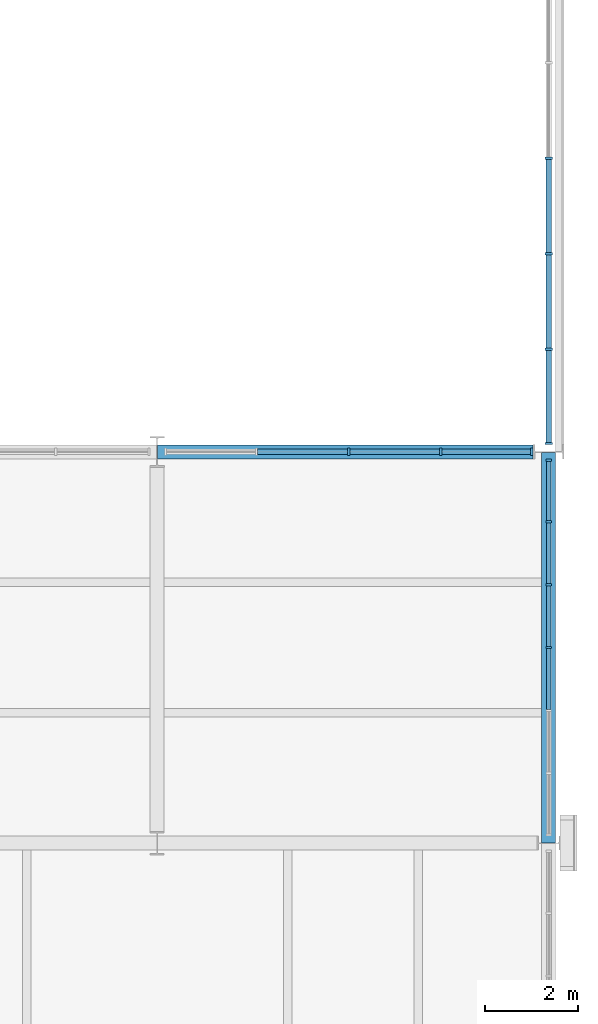
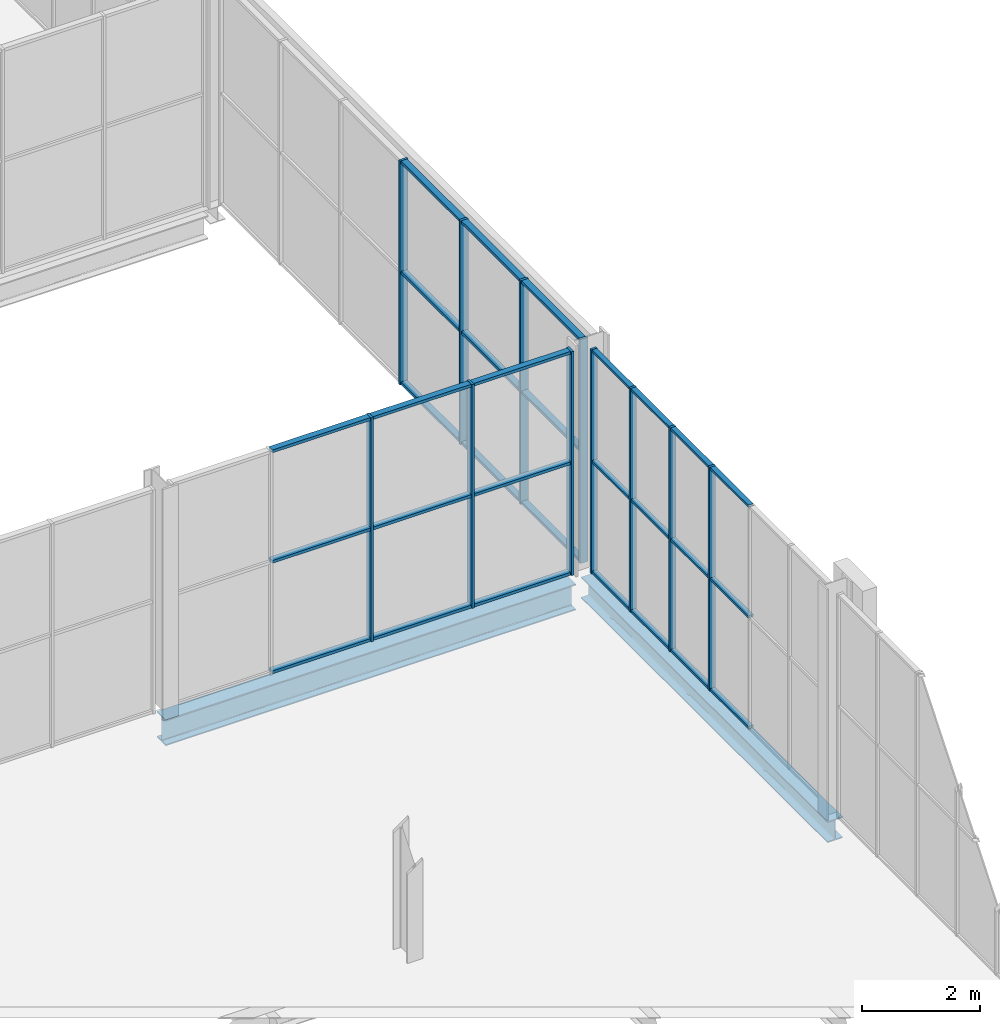
# One storey, part 24 of 61: 41 members, 2 beams, 3 elements without a shape of their own.
"""IFC4 building model written with IfcOpenShell, lengths in metres."""

from ifc_helpers import new_model, si_unit, direction, frame, origin, origin_2d, place, context, subcontext, project, spatial, rectangle, i_section, extrude, material, layer, layer_set, material_profile, profile_set, type_object, element, aggregate, save


model = new_model("IFC4")

# Units and contexts
model_context = context("Model", 3, precision=1e-05, world=origin(), true_north=direction((0.0, 1.0)))
body_context = subcontext(model_context, "Body", "Model", "MODEL_VIEW")
ifc_project = project(units=[si_unit("LENGTHUNIT", "METRE"), si_unit("AREAUNIT", "SQUARE_METRE"), si_unit("VOLUMEUNIT", "CUBIC_METRE"), si_unit("PLANEANGLEUNIT", "RADIAN"), si_unit("MASSUNIT", "GRAM", prefix="KILO")], contexts=[model_context])

# Site, building, storey
site_placement = place(None, origin())
site = spatial("IfcSite", under=ifc_project, at=site_placement, CompositionType="ELEMENT")
building_placement = place(site_placement, origin())
building = spatial("IfcBuilding", under=site, at=building_placement, Name="Galleria Vessillo Department Store", CompositionType="ELEMENT")
storey_placement = place(building_placement, frame((0.0, 0.0, 11.39990234375)))
storey = spatial("IfcBuildingStorey", under=building, at=storey_placement, Name="L02", CompositionType="ELEMENT", Elevation=11.39990234375)

# Curtain wall, members
ifc_material_1 = material(Name="Aluminium and glass curtain wall", Category="aluminium")
ifc_layer_1 = layer(ifc_material_1, 0.1201171875)
ifc_layer_set_1 = layer_set([ifc_layer_1], Name="Aluminium and glass curtain wall")
curtain_wall_type_1 = type_object("IfcCurtainWallType", Name="Shopfront curtain wall CW3 1400 module", PredefinedType="NOTDEFINED", material=ifc_layer_set_1)
curtain_wall_1_placement = place(storey_placement, origin())
curtain_wall_1 = element("IfcCurtainWall", 1, at=curtain_wall_1_placement, inside=storey, type_object=curtain_wall_type_1, Name="Shopfront curtain wall CW3 1400 module SE-S-L02-02", PredefinedType="NOTDEFINED")
ifc_material_2 = material(Name="Aluminium alloy 6063 T6", Category="aluminium")
ifc_material_profile_1 = material_profile(ifc_material_2, rectangle(XDim=0.1201171875, YDim=0.050048828125, at=origin_2d()), Name="AL 50x120")
ifc_profile_set_1 = profile_set([ifc_material_profile_1], Name="Aluminium alloy 6063 T6")
member_type_1 = type_object("IfcMemberType", Name="Aluminium mullion 50 x 120", PredefinedType="MULLION", material=ifc_profile_set_1)
member_1_placement = place(storey_placement, frame((117.60009765625, 20.998779296875, 0.0), z_axis=(0.0, 0.0, 1.0), x_axis=(-1.0, 0.0, 0.0)))
member_1 = element("IfcMember", 2, at=member_1_placement, type_object=member_type_1, Name="CW3 mullion 4", PredefinedType="MULLION", context=body_context, shape_type="SweptSolid", body=[
    extrude(rectangle(XDim=0.1201171875, YDim=0.050048828125, at=origin_2d()), origin(), (0.0, 0.0, 1.0), 4.650146484375),
])
member_2_placement = place(storey_placement, frame((117.60009765625, 22.34814453125, 0.0), z_axis=(0.0, 0.0, 1.0), x_axis=(-1.0, 0.0, 0.0)))
member_2 = element("IfcMember", 3, at=member_2_placement, type_object=member_type_1, Name="CW3 mullion 5", PredefinedType="MULLION", context=body_context, shape_type="SweptSolid", body=[
    extrude(rectangle(XDim=0.1201171875, YDim=0.050048828125, at=origin_2d()), origin(), (0.0, 0.0, 1.0), 4.650146484375),
])
member_3_placement = place(storey_placement, frame((117.60009765625, 23.69775390625, 0.0), z_axis=(0.0, 0.0, 1.0), x_axis=(-1.0, 0.0, 0.0)))
member_3 = element("IfcMember", 4, at=member_3_placement, type_object=member_type_1, Name="CW3 mullion 6", PredefinedType="MULLION", context=body_context, shape_type="SweptSolid", body=[
    extrude(rectangle(XDim=0.1201171875, YDim=0.050048828125, at=origin_2d()), origin(), (0.0, 0.0, 1.0), 4.650146484375),
])
member_4_placement = place(storey_placement, frame((117.60009765625, 25.0224609375, 0.0), z_axis=(0.0, 0.0, 1.0), x_axis=(-1.0, 0.0, 0.0)))
member_4 = element("IfcMember", 5, at=member_4_placement, type_object=member_type_1, Name="CW3 mullion 7", PredefinedType="MULLION", context=body_context, shape_type="SweptSolid", body=[
    extrude(rectangle(XDim=0.1201171875, YDim=0.050048828125, at=origin_2d()), origin(), (0.0, 0.0, 1.0), 4.650146484375),
])

ifc_material_3 = material(Name="Aluminium and glass curtain wall", Category="aluminium")
ifc_layer_2 = layer(ifc_material_3, 0.159912109375)
ifc_layer_set_2 = layer_set([ifc_layer_2], Name="Aluminium and glass curtain wall")
curtain_wall_type_2 = type_object("IfcCurtainWallType", Name="Arcade portal glazing CW2 2100 module", PredefinedType="NOTDEFINED", material=ifc_layer_set_2)
curtain_wall_2_placement = place(storey_placement, origin())
curtain_wall_2 = element("IfcCurtainWall", 6, at=curtain_wall_2_placement, inside=storey, type_object=curtain_wall_type_2, Name="Arcade portal glazing CW2 2100 module PW-E-S-L02-02", PredefinedType="NOTDEFINED")
ifc_material_4 = material(Name="Aluminium alloy 6063 T6", Category="aluminium")
ifc_material_profile_2 = material_profile(ifc_material_4, rectangle(XDim=0.159912109375, YDim=0.050048828125, at=origin_2d()), Name="AL 50x160")
ifc_profile_set_2 = profile_set([ifc_material_profile_2], Name="Aluminium alloy 6063 T6")
member_type_2 = type_object("IfcMemberType", Name="Aluminium mullion 50 x 160", PredefinedType="MULLION", material=ifc_profile_set_2)
member_5_placement = place(storey_placement, frame((113.309326171875, 25.199951171875, 0.0), z_axis=(0.0, 0.0, 1.0), x_axis=(0.0, 1.0, 0.0)))
member_5 = element("IfcMember", 7, at=member_5_placement, type_object=member_type_2, Name="CW2 mullion 3", PredefinedType="MULLION", context=body_context, shape_type="SweptSolid", body=[
    extrude(rectangle(XDim=0.159912109375, YDim=0.050048828125, at=origin_2d()), origin(), (0.0, 0.0, 1.0), 4.650146484375),
])
member_6_placement = place(storey_placement, frame((115.28759765625, 25.199951171875, 0.0), z_axis=(0.0, 0.0, 1.0), x_axis=(0.0, 1.0, 0.0)))
member_6 = element("IfcMember", 8, at=member_6_placement, type_object=member_type_2, Name="CW2 mullion 4", PredefinedType="MULLION", context=body_context, shape_type="SweptSolid", body=[
    extrude(rectangle(XDim=0.159912109375, YDim=0.050048828125, at=origin_2d()), origin(), (0.0, 0.0, 1.0), 4.650146484375),
])
member_7_placement = place(storey_placement, frame((117.2412109375, 25.199951171875, 0.0), z_axis=(0.0, 0.0, 1.0), x_axis=(0.0, 1.0, 0.0)))
member_7 = element("IfcMember", 9, at=member_7_placement, type_object=member_type_2, Name="CW2 mullion 5", PredefinedType="MULLION", context=body_context, shape_type="SweptSolid", body=[
    extrude(rectangle(XDim=0.159912109375, YDim=0.050048828125, at=origin_2d()), origin(), (0.0, 0.0, 1.0), 4.650146484375),
])

curtain_wall_3_placement = place(storey_placement, origin())
curtain_wall_3 = element("IfcCurtainWall", 10, at=curtain_wall_3_placement, inside=storey, type_object=curtain_wall_type_2, Name="Arcade portal glazing CW2 2100 module SCR-E-L02-01", PredefinedType="NOTDEFINED")
member_8_placement = place(storey_placement, frame((117.60009765625, 25.37744140625, 0.0), z_axis=(0.0, 0.0, 1.0), x_axis=(-1.0, 0.0, 0.0)))
member_8 = element("IfcMember", 11, at=member_8_placement, type_object=member_type_2, Name="CW2 mullion 1", PredefinedType="MULLION", context=body_context, shape_type="SweptSolid", body=[
    extrude(rectangle(XDim=0.159912109375, YDim=0.050048828125, at=origin_2d()), origin(), (0.0, 0.0, 1.0), 4.650146484375),
])
member_9_placement = place(storey_placement, frame((117.60009765625, 27.401611328125, 0.0), z_axis=(0.0, 0.0, 1.0), x_axis=(-1.0, 0.0, 0.0)))
member_9 = element("IfcMember", 12, at=member_9_placement, type_object=member_type_2, Name="CW2 mullion 2", PredefinedType="MULLION", context=body_context, shape_type="SweptSolid", body=[
    extrude(rectangle(XDim=0.159912109375, YDim=0.050048828125, at=origin_2d()), origin(), (0.0, 0.0, 1.0), 4.650146484375),
])
member_10_placement = place(storey_placement, frame((117.60009765625, 29.45068359375, 0.0), z_axis=(0.0, 0.0, 1.0), x_axis=(-1.0, 0.0, 0.0)))
member_10 = element("IfcMember", 13, at=member_10_placement, type_object=member_type_2, Name="CW2 mullion 3", PredefinedType="MULLION", context=body_context, shape_type="SweptSolid", body=[
    extrude(rectangle(XDim=0.159912109375, YDim=0.050048828125, at=origin_2d()), origin(), (0.0, 0.0, 1.0), 4.650146484375),
])
member_11_placement = place(storey_placement, frame((117.60009765625, 31.499755859375, 0.0), z_axis=(0.0, 0.0, 1.0), x_axis=(-1.0, 0.0, 0.0)))
member_11 = element("IfcMember", 14, at=member_11_placement, type_object=member_type_2, Name="CW2 mullion 4", PredefinedType="MULLION", context=body_context, shape_type="SweptSolid", body=[
    extrude(rectangle(XDim=0.159912109375, YDim=0.050048828125, at=origin_2d()), origin(), (0.0, 0.0, 1.0), 4.650146484375),
])

# Member
ifc_material_5 = material(Name="Aluminium alloy 6063 T6", Category="aluminium")
ifc_material_profile_3 = material_profile(ifc_material_5, rectangle(XDim=0.10009765625, YDim=0.050048828125, at=origin_2d()), Name="AL 50x100")
ifc_profile_set_3 = profile_set([ifc_material_profile_3], Name="Aluminium alloy 6063 T6")
member_type_3 = type_object("IfcMemberType", Name="Aluminium transom 50 x 100", PredefinedType="USERDEFINED", material=ifc_profile_set_3)
member_12_placement = place(storey_placement, frame((117.60009765625, 19.674072265625, 0.02490234375), z_axis=(0.0, 1.0, 0.0), x_axis=(-1.0, 0.0, 0.0)))
member_12 = element("IfcMember", 15, at=member_12_placement, type_object=member_type_3, Name="CW3 transom 3.1", ObjectType="TRANSOM", PredefinedType="USERDEFINED", context=body_context, shape_type="SweptSolid", body=[
    extrude(rectangle(XDim=0.10009765625, YDim=0.050048828125, at=origin_2d()), origin(), (0.0, 0.0, 1.0), 1.299560546875),
])

member_13_placement = place(storey_placement, frame((117.60009765625, 19.674072265625, 2.3251953125), z_axis=(0.0, 1.0, 0.0), x_axis=(-1.0, 0.0, 0.0)))
member_13 = element("IfcMember", 16, at=member_13_placement, type_object=member_type_3, Name="CW3 transom 3.2", ObjectType="TRANSOM", PredefinedType="USERDEFINED", context=body_context, shape_type="SweptSolid", body=[
    extrude(rectangle(XDim=0.10009765625, YDim=0.050048828125, at=origin_2d()), origin(), (0.0, 0.0, 1.0), 1.299560546875),
])

member_14_placement = place(storey_placement, frame((117.60009765625, 19.674072265625, 4.625244140625), z_axis=(0.0, 1.0, 0.0), x_axis=(-1.0, 0.0, 0.0)))
member_14 = element("IfcMember", 17, at=member_14_placement, type_object=member_type_3, Name="CW3 transom 3.3", ObjectType="TRANSOM", PredefinedType="USERDEFINED", context=body_context, shape_type="SweptSolid", body=[
    extrude(rectangle(XDim=0.10009765625, YDim=0.050048828125, at=origin_2d()), origin(), (0.0, 0.0, 1.0), 1.299560546875),
])

member_15_placement = place(storey_placement, frame((117.60009765625, 21.023681640625, 0.02490234375), z_axis=(0.0, 1.0, 0.0), x_axis=(-1.0, 0.0, 0.0)))
member_15 = element("IfcMember", 18, at=member_15_placement, type_object=member_type_3, Name="CW3 transom 4.1", ObjectType="TRANSOM", PredefinedType="USERDEFINED", context=body_context, shape_type="SweptSolid", body=[
    extrude(rectangle(XDim=0.10009765625, YDim=0.050048828125, at=origin_2d()), origin(), (0.0, 0.0, 1.0), 1.299560546875),
])

member_16_placement = place(storey_placement, frame((117.60009765625, 21.023681640625, 2.3251953125), z_axis=(0.0, 1.0, 0.0), x_axis=(-1.0, 0.0, 0.0)))
member_16 = element("IfcMember", 19, at=member_16_placement, type_object=member_type_3, Name="CW3 transom 4.2", ObjectType="TRANSOM", PredefinedType="USERDEFINED", context=body_context, shape_type="SweptSolid", body=[
    extrude(rectangle(XDim=0.10009765625, YDim=0.050048828125, at=origin_2d()), origin(), (0.0, 0.0, 1.0), 1.299560546875),
])

member_17_placement = place(storey_placement, frame((117.60009765625, 21.023681640625, 4.625244140625), z_axis=(0.0, 1.0, 0.0), x_axis=(-1.0, 0.0, 0.0)))
member_17 = element("IfcMember", 20, at=member_17_placement, type_object=member_type_3, Name="CW3 transom 4.3", ObjectType="TRANSOM", PredefinedType="USERDEFINED", context=body_context, shape_type="SweptSolid", body=[
    extrude(rectangle(XDim=0.10009765625, YDim=0.050048828125, at=origin_2d()), origin(), (0.0, 0.0, 1.0), 1.299560546875),
])

member_18_placement = place(storey_placement, frame((117.60009765625, 22.373291015625, 0.02490234375), z_axis=(0.0, 1.0, 0.0), x_axis=(-1.0, 0.0, 0.0)))
member_18 = element("IfcMember", 21, at=member_18_placement, type_object=member_type_3, Name="CW3 transom 5.1", ObjectType="TRANSOM", PredefinedType="USERDEFINED", context=body_context, shape_type="SweptSolid", body=[
    extrude(rectangle(XDim=0.10009765625, YDim=0.050048828125, at=origin_2d()), origin(), (0.0, 0.0, 1.0), 1.299560546875),
])

member_19_placement = place(storey_placement, frame((117.60009765625, 22.373291015625, 2.3251953125), z_axis=(0.0, 1.0, 0.0), x_axis=(-1.0, 0.0, 0.0)))
member_19 = element("IfcMember", 22, at=member_19_placement, type_object=member_type_3, Name="CW3 transom 5.2", ObjectType="TRANSOM", PredefinedType="USERDEFINED", context=body_context, shape_type="SweptSolid", body=[
    extrude(rectangle(XDim=0.10009765625, YDim=0.050048828125, at=origin_2d()), origin(), (0.0, 0.0, 1.0), 1.299560546875),
])

member_20_placement = place(storey_placement, frame((117.60009765625, 22.373291015625, 4.625244140625), z_axis=(0.0, 1.0, 0.0), x_axis=(-1.0, 0.0, 0.0)))
member_20 = element("IfcMember", 23, at=member_20_placement, type_object=member_type_3, Name="CW3 transom 5.3", ObjectType="TRANSOM", PredefinedType="USERDEFINED", context=body_context, shape_type="SweptSolid", body=[
    extrude(rectangle(XDim=0.10009765625, YDim=0.050048828125, at=origin_2d()), origin(), (0.0, 0.0, 1.0), 1.299560546875),
])

member_21_placement = place(storey_placement, frame((117.60009765625, 23.722900390625, 0.02490234375), z_axis=(0.0, 1.0, 0.0), x_axis=(-1.0, 0.0, 0.0)))
member_21 = element("IfcMember", 24, at=member_21_placement, type_object=member_type_3, Name="CW3 transom 6.1", ObjectType="TRANSOM", PredefinedType="USERDEFINED", context=body_context, shape_type="SweptSolid", body=[
    extrude(rectangle(XDim=0.10009765625, YDim=0.050048828125, at=origin_2d()), origin(), (0.0, 0.0, 1.0), 1.2744140625),
])

member_22_placement = place(storey_placement, frame((117.60009765625, 23.722900390625, 2.3251953125), z_axis=(0.0, 1.0, 0.0), x_axis=(-1.0, 0.0, 0.0)))
member_22 = element("IfcMember", 25, at=member_22_placement, type_object=member_type_3, Name="CW3 transom 6.2", ObjectType="TRANSOM", PredefinedType="USERDEFINED", context=body_context, shape_type="SweptSolid", body=[
    extrude(rectangle(XDim=0.10009765625, YDim=0.050048828125, at=origin_2d()), origin(), (0.0, 0.0, 1.0), 1.2744140625),
])

member_23_placement = place(storey_placement, frame((117.60009765625, 23.722900390625, 4.625244140625), z_axis=(0.0, 1.0, 0.0), x_axis=(-1.0, 0.0, 0.0)))
member_23 = element("IfcMember", 26, at=member_23_placement, type_object=member_type_3, Name="CW3 transom 6.3", ObjectType="TRANSOM", PredefinedType="USERDEFINED", context=body_context, shape_type="SweptSolid", body=[
    extrude(rectangle(XDim=0.10009765625, YDim=0.050048828125, at=origin_2d()), origin(), (0.0, 0.0, 1.0), 1.2744140625),
])

aggregate(curtain_wall_1, [member_1, member_2, member_3, member_4, member_12, member_13, member_14, member_15, member_16, member_17, member_18, member_19, member_20, member_21, member_22, member_23])

ifc_material_6 = material(Name="Aluminium alloy 6063 T6", Category="aluminium")
ifc_material_profile_4 = material_profile(ifc_material_6, rectangle(XDim=0.1201171875, YDim=0.06005859375, at=origin_2d()), Name="AL 60x120")
ifc_profile_set_4 = profile_set([ifc_material_profile_4], Name="Aluminium alloy 6063 T6")
member_type_4 = type_object("IfcMemberType", Name="Aluminium transom 60 x 120", PredefinedType="USERDEFINED", material=ifc_profile_set_4)
member_24_placement = place(storey_placement, frame((111.35595703125, 25.199951171875, 0.030029296875), z_axis=(1.0, 0.0, 0.0), x_axis=(0.0, 1.0, 0.0)))
member_24 = element("IfcMember", 27, at=member_24_placement, type_object=member_type_4, Name="CW2 transom 2.1", ObjectType="TRANSOM", PredefinedType="USERDEFINED", context=body_context, shape_type="SweptSolid", body=[
    extrude(rectangle(XDim=0.1201171875, YDim=0.06005859375, at=origin_2d()), origin(), (0.0, 0.0, 1.0), 1.928466796875),
])

member_25_placement = place(storey_placement, frame((111.35595703125, 25.199951171875, 2.3251953125), z_axis=(1.0, 0.0, 0.0), x_axis=(0.0, 1.0, 0.0)))
member_25 = element("IfcMember", 28, at=member_25_placement, type_object=member_type_4, Name="CW2 transom 2.2", ObjectType="TRANSOM", PredefinedType="USERDEFINED", context=body_context, shape_type="SweptSolid", body=[
    extrude(rectangle(XDim=0.1201171875, YDim=0.06005859375, at=origin_2d()), origin(), (0.0, 0.0, 1.0), 1.928466796875),
])

member_26_placement = place(storey_placement, frame((111.35595703125, 25.199951171875, 4.6201171875), z_axis=(1.0, 0.0, 0.0), x_axis=(0.0, 1.0, 0.0)))
member_26 = element("IfcMember", 29, at=member_26_placement, type_object=member_type_4, Name="CW2 transom 2.3", ObjectType="TRANSOM", PredefinedType="USERDEFINED", context=body_context, shape_type="SweptSolid", body=[
    extrude(rectangle(XDim=0.1201171875, YDim=0.06005859375, at=origin_2d()), origin(), (0.0, 0.0, 1.0), 1.928466796875),
])

member_27_placement = place(storey_placement, frame((113.334228515625, 25.199951171875, 0.030029296875), z_axis=(1.0, 0.0, 0.0), x_axis=(0.0, 1.0, 0.0)))
member_27 = element("IfcMember", 30, at=member_27_placement, type_object=member_type_4, Name="CW2 transom 3.1", ObjectType="TRANSOM", PredefinedType="USERDEFINED", context=body_context, shape_type="SweptSolid", body=[
    extrude(rectangle(XDim=0.1201171875, YDim=0.06005859375, at=origin_2d()), origin(), (0.0, 0.0, 1.0), 1.928466796875),
])

member_28_placement = place(storey_placement, frame((113.334228515625, 25.199951171875, 2.3251953125), z_axis=(1.0, 0.0, 0.0), x_axis=(0.0, 1.0, 0.0)))
member_28 = element("IfcMember", 31, at=member_28_placement, type_object=member_type_4, Name="CW2 transom 3.2", ObjectType="TRANSOM", PredefinedType="USERDEFINED", context=body_context, shape_type="SweptSolid", body=[
    extrude(rectangle(XDim=0.1201171875, YDim=0.06005859375, at=origin_2d()), origin(), (0.0, 0.0, 1.0), 1.928466796875),
])

member_29_placement = place(storey_placement, frame((113.334228515625, 25.199951171875, 4.6201171875), z_axis=(1.0, 0.0, 0.0), x_axis=(0.0, 1.0, 0.0)))
member_29 = element("IfcMember", 32, at=member_29_placement, type_object=member_type_4, Name="CW2 transom 3.3", ObjectType="TRANSOM", PredefinedType="USERDEFINED", context=body_context, shape_type="SweptSolid", body=[
    extrude(rectangle(XDim=0.1201171875, YDim=0.06005859375, at=origin_2d()), origin(), (0.0, 0.0, 1.0), 1.928466796875),
])

member_30_placement = place(storey_placement, frame((115.312744140625, 25.199951171875, 0.030029296875), z_axis=(1.0, 0.0, 0.0), x_axis=(0.0, 1.0, 0.0)))
member_30 = element("IfcMember", 33, at=member_30_placement, type_object=member_type_4, Name="CW2 transom 4.1", ObjectType="TRANSOM", PredefinedType="USERDEFINED", context=body_context, shape_type="SweptSolid", body=[
    extrude(rectangle(XDim=0.1201171875, YDim=0.06005859375, at=origin_2d()), origin(), (0.0, 0.0, 1.0), 1.9033203125),
])

member_31_placement = place(storey_placement, frame((115.312744140625, 25.199951171875, 2.3251953125), z_axis=(1.0, 0.0, 0.0), x_axis=(0.0, 1.0, 0.0)))
member_31 = element("IfcMember", 34, at=member_31_placement, type_object=member_type_4, Name="CW2 transom 4.2", ObjectType="TRANSOM", PredefinedType="USERDEFINED", context=body_context, shape_type="SweptSolid", body=[
    extrude(rectangle(XDim=0.1201171875, YDim=0.06005859375, at=origin_2d()), origin(), (0.0, 0.0, 1.0), 1.9033203125),
])

member_32_placement = place(storey_placement, frame((115.312744140625, 25.199951171875, 4.6201171875), z_axis=(1.0, 0.0, 0.0), x_axis=(0.0, 1.0, 0.0)))
member_32 = element("IfcMember", 35, at=member_32_placement, type_object=member_type_4, Name="CW2 transom 4.3", ObjectType="TRANSOM", PredefinedType="USERDEFINED", context=body_context, shape_type="SweptSolid", body=[
    extrude(rectangle(XDim=0.1201171875, YDim=0.06005859375, at=origin_2d()), origin(), (0.0, 0.0, 1.0), 1.9033203125),
])

aggregate(curtain_wall_2, [member_5, member_6, member_7, member_24, member_25, member_26, member_27, member_28, member_29, member_30, member_31, member_32])

member_33_placement = place(storey_placement, frame((117.60009765625, 25.402587890625, 0.030029296875), z_axis=(0.0, 1.0, 0.0), x_axis=(-1.0, 0.0, 0.0)))
member_33 = element("IfcMember", 36, at=member_33_placement, type_object=member_type_4, Name="CW2 transom 1.1", ObjectType="TRANSOM", PredefinedType="USERDEFINED", context=body_context, shape_type="SweptSolid", body=[
    extrude(rectangle(XDim=0.1201171875, YDim=0.06005859375, at=origin_2d()), origin(), (0.0, 0.0, 1.0), 1.97412109375),
])

member_34_placement = place(storey_placement, frame((117.60009765625, 25.402587890625, 2.3251953125), z_axis=(0.0, 1.0, 0.0), x_axis=(-1.0, 0.0, 0.0)))
member_34 = element("IfcMember", 37, at=member_34_placement, type_object=member_type_4, Name="CW2 transom 1.2", ObjectType="TRANSOM", PredefinedType="USERDEFINED", context=body_context, shape_type="SweptSolid", body=[
    extrude(rectangle(XDim=0.1201171875, YDim=0.06005859375, at=origin_2d()), origin(), (0.0, 0.0, 1.0), 1.97412109375),
])

member_35_placement = place(storey_placement, frame((117.60009765625, 25.402587890625, 4.6201171875), z_axis=(0.0, 1.0, 0.0), x_axis=(-1.0, 0.0, 0.0)))
member_35 = element("IfcMember", 38, at=member_35_placement, type_object=member_type_4, Name="CW2 transom 1.3", ObjectType="TRANSOM", PredefinedType="USERDEFINED", context=body_context, shape_type="SweptSolid", body=[
    extrude(rectangle(XDim=0.1201171875, YDim=0.06005859375, at=origin_2d()), origin(), (0.0, 0.0, 1.0), 1.97412109375),
])

member_36_placement = place(storey_placement, frame((117.60009765625, 27.426513671875, 0.030029296875), z_axis=(0.0, 1.0, 0.0), x_axis=(-1.0, 0.0, 0.0)))
member_36 = element("IfcMember", 39, at=member_36_placement, type_object=member_type_4, Name="CW2 transom 2.1", ObjectType="TRANSOM", PredefinedType="USERDEFINED", context=body_context, shape_type="SweptSolid", body=[
    extrude(rectangle(XDim=0.1201171875, YDim=0.06005859375, at=origin_2d()), origin(), (0.0, 0.0, 1.0), 1.999267578125),
])

member_37_placement = place(storey_placement, frame((117.60009765625, 27.426513671875, 2.3251953125), z_axis=(0.0, 1.0, 0.0), x_axis=(-1.0, 0.0, 0.0)))
member_37 = element("IfcMember", 40, at=member_37_placement, type_object=member_type_4, Name="CW2 transom 2.2", ObjectType="TRANSOM", PredefinedType="USERDEFINED", context=body_context, shape_type="SweptSolid", body=[
    extrude(rectangle(XDim=0.1201171875, YDim=0.06005859375, at=origin_2d()), origin(), (0.0, 0.0, 1.0), 1.999267578125),
])

member_38_placement = place(storey_placement, frame((117.60009765625, 27.426513671875, 4.6201171875), z_axis=(0.0, 1.0, 0.0), x_axis=(-1.0, 0.0, 0.0)))
member_38 = element("IfcMember", 41, at=member_38_placement, type_object=member_type_4, Name="CW2 transom 2.3", ObjectType="TRANSOM", PredefinedType="USERDEFINED", context=body_context, shape_type="SweptSolid", body=[
    extrude(rectangle(XDim=0.1201171875, YDim=0.06005859375, at=origin_2d()), origin(), (0.0, 0.0, 1.0), 1.999267578125),
])

member_39_placement = place(storey_placement, frame((117.60009765625, 29.4755859375, 0.030029296875), z_axis=(0.0, 1.0, 0.0), x_axis=(-1.0, 0.0, 0.0)))
member_39 = element("IfcMember", 42, at=member_39_placement, type_object=member_type_4, Name="CW2 transom 3.1", ObjectType="TRANSOM", PredefinedType="USERDEFINED", context=body_context, shape_type="SweptSolid", body=[
    extrude(rectangle(XDim=0.1201171875, YDim=0.06005859375, at=origin_2d()), origin(), (0.0, 0.0, 1.0), 1.999267578125),
])

member_40_placement = place(storey_placement, frame((117.60009765625, 29.4755859375, 2.3251953125), z_axis=(0.0, 1.0, 0.0), x_axis=(-1.0, 0.0, 0.0)))
member_40 = element("IfcMember", 43, at=member_40_placement, type_object=member_type_4, Name="CW2 transom 3.2", ObjectType="TRANSOM", PredefinedType="USERDEFINED", context=body_context, shape_type="SweptSolid", body=[
    extrude(rectangle(XDim=0.1201171875, YDim=0.06005859375, at=origin_2d()), origin(), (0.0, 0.0, 1.0), 1.999267578125),
])

member_41_placement = place(storey_placement, frame((117.60009765625, 29.4755859375, 4.6201171875), z_axis=(0.0, 1.0, 0.0), x_axis=(-1.0, 0.0, 0.0)))
member_41 = element("IfcMember", 44, at=member_41_placement, type_object=member_type_4, Name="CW2 transom 3.3", ObjectType="TRANSOM", PredefinedType="USERDEFINED", context=body_context, shape_type="SweptSolid", body=[
    extrude(rectangle(XDim=0.1201171875, YDim=0.06005859375, at=origin_2d()), origin(), (0.0, 0.0, 1.0), 1.999267578125),
])

aggregate(curtain_wall_3, [member_8, member_9, member_10, member_11, member_33, member_34, member_35, member_36, member_37, member_38, member_39, member_40, member_41])

# Beams
ifc_material_7 = material(Name="Steel S355 J2", Category="steel")
ifc_material_profile_5 = material_profile(ifc_material_7, i_section(OverallWidth=0.300048828125, OverallDepth=0.43994140625, WebThickness=0.011474609375, FlangeThickness=0.02099609375, FilletRadius=0.027099609375, at=origin_2d()), Name="HEA 450")
ifc_profile_set_5 = profile_set([ifc_material_profile_5], Name="Steel S355 J2")
beam_type_1 = type_object("IfcBeamType", Name="Spandrel beam HEA 450", PredefinedType="SPANDREL", material=ifc_profile_set_5)
beam_1_placement = place(storey_placement, frame((117.60009765625, 16.807373046875, -0.369873046875), z_axis=(0.0, 1.0, 0.0), x_axis=(-1.0, 0.0, 0.0)))
element("IfcBeam", 45, at=beam_1_placement, inside=storey, type_object=beam_type_1, Name="S-BM-L02-SP-y117600-16807", PredefinedType="SPANDREL", context=body_context, shape_type="SweptSolid", body=[
    extrude(i_section(OverallWidth=0.300048828125, OverallDepth=0.43994140625, WebThickness=0.011474609375, FlangeThickness=0.02099609375, FilletRadius=0.027099609375, at=origin_2d()), origin(), (0.0, 0.0, 1.0), 8.382080078125),
])
ifc_material_8 = material(Name="Steel S355 J2", Category="steel")
ifc_material_profile_6 = material_profile(ifc_material_8, i_section(OverallWidth=0.300048828125, OverallDepth=0.5400390625, WebThickness=0.012451171875, FlangeThickness=0.02392578125, FilletRadius=0.027099609375, at=origin_2d()), Name="HEA 550")
ifc_profile_set_6 = profile_set([ifc_material_profile_6], Name="Steel S355 J2")
beam_type_2 = type_object("IfcBeamType", Name="Trimmer beam HEA 550", PredefinedType="BEAM", material=ifc_profile_set_6)
beam_2_placement = place(storey_placement, frame((109.210693359375, 25.199951171875, -0.419921875), z_axis=(1.0, 0.0, 0.0), x_axis=(0.0, 1.0, 0.0)))
element("IfcBeam", 46, at=beam_2_placement, inside=storey, type_object=beam_type_2, Name="S-BM-L02-TR-x25200-109211", PredefinedType="BEAM", context=body_context, shape_type="SweptSolid", body=[
    extrude(i_section(OverallWidth=0.300048828125, OverallDepth=0.5400390625, WebThickness=0.012451171875, FlangeThickness=0.02392578125, FilletRadius=0.027099609375, at=origin_2d()), origin(), (0.0, 0.0, 1.0), 8.05517578125),
])

save(model, "model.ifc")
